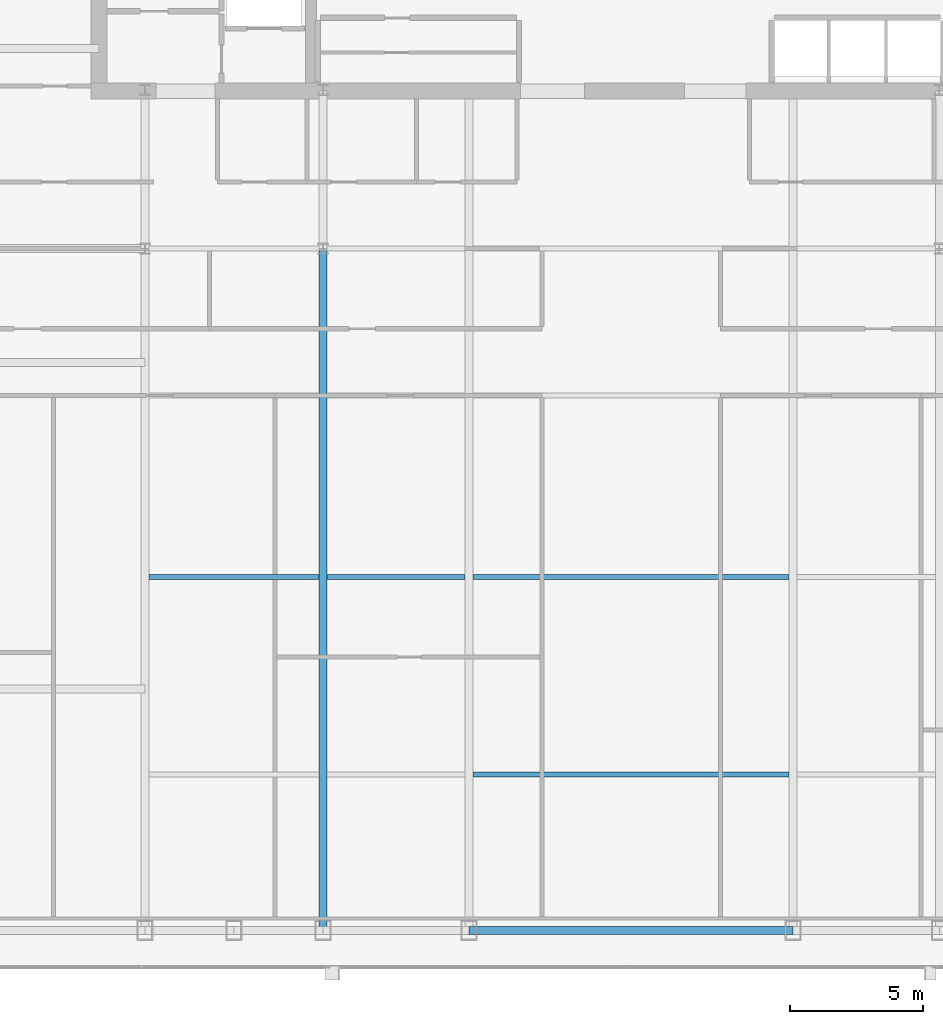
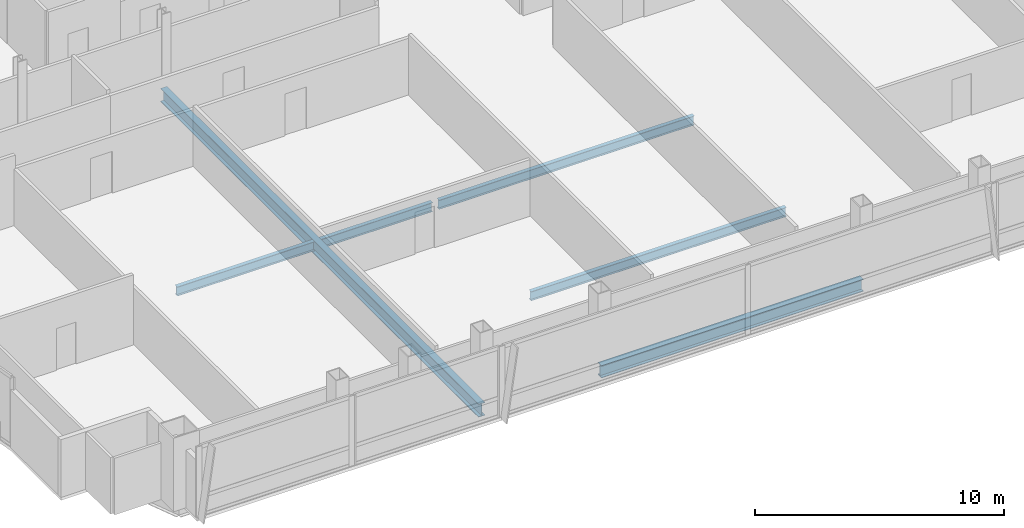
# One storey, part 9 of 30: 6 beams.
"""IFC4 building model written with IfcOpenShell, lengths in metres."""

from ifc_helpers import new_model, si_unit, direction, frame, origin, origin_2d, place, context, subcontext, project, spatial, i_section, extrude, material, material_profile, profile_set, type_object, element, save


model = new_model("IFC4")

# Units and contexts
model_context = context("Model", 3, precision=1e-05, world=origin(), true_north=direction((0.0, 1.0)))
body_context = subcontext(model_context, "Body", "Model", "MODEL_VIEW")
ifc_project = project(units=[si_unit("LENGTHUNIT", "METRE"), si_unit("AREAUNIT", "SQUARE_METRE"), si_unit("VOLUMEUNIT", "CUBIC_METRE"), si_unit("PLANEANGLEUNIT", "RADIAN"), si_unit("MASSUNIT", "GRAM", prefix="KILO")], contexts=[model_context])

# Site, building, storey
site_placement = place(None, origin())
site = spatial("IfcSite", under=ifc_project, at=site_placement, CompositionType="ELEMENT")
building_placement = place(site_placement, origin())
building = spatial("IfcBuilding", under=site, at=building_placement, Name="Khoronbel Lancet Exchange", CompositionType="ELEMENT")
storey_placement = place(building_placement, frame((0.0, 0.0, 224.60009765625)))
storey = spatial("IfcBuildingStorey", under=building, at=storey_placement, Name="L57", CompositionType="ELEMENT", Elevation=224.60009765625)

# Beams
ifc_material = material(Name="Steel S355", Category="steel")
ifc_material_profile_1 = material_profile(ifc_material, i_section(OverallWidth=0.300048828125, OverallDepth=0.64990234375, WebThickness=0.01611328125, FlangeThickness=0.031005859375, at=origin_2d()), Name="HEB 650")
ifc_profile_set_1 = profile_set([ifc_material_profile_1], Name="Steel S355")
beam_type_1 = type_object("IfcBeamType", Name="BM-BG4", PredefinedType="BEAM", material=ifc_profile_set_1)
beam_1_placement = place(storey_placement, frame((24.89990234375, 10.14990234375, -0.485107421875), z_axis=(0.0, 1.0, 0.0), x_axis=(-1.0, 0.0, 0.0)))
element("IfcBeam", 1, at=beam_1_placement, inside=storey, type_object=beam_type_1, Name="Level L57 south primary girder GS2", PredefinedType="BEAM", context=body_context, shape_type="SweptSolid", body=[
    extrude(i_section(OverallWidth=0.300048828125, OverallDepth=0.64990234375, WebThickness=0.01611328125, FlangeThickness=0.031005859375, at=origin_2d()), origin(), (0.0, 0.0, 1.0), 25.550048828125),
])
ifc_material_profile_2 = material_profile(ifc_material, i_section(OverallWidth=0.18994140625, OverallDepth=0.449951171875, WebThickness=0.009521484375, FlangeThickness=0.0146484375, at=origin_2d()), Name="IPE 450")
ifc_profile_set_2 = profile_set([ifc_material_profile_2], Name="Steel S355")
beam_type_2 = type_object("IfcBeamType", Name="BM-BJ4", PredefinedType="JOIST", material=ifc_profile_set_2)
beam_2_placement = place(storey_placement, frame((30.52490234375, 16.0, -0.385009765625), z_axis=(1.0, 0.0, 0.0), x_axis=(0.0, 1.0, 0.0)))
element("IfcBeam", 2, at=beam_2_placement, inside=storey, type_object=beam_type_2, Name="Level L57 secondary composite joist J03", PredefinedType="JOIST", context=body_context, shape_type="SweptSolid", body=[
    extrude(i_section(OverallWidth=0.18994140625, OverallDepth=0.449951171875, WebThickness=0.009521484375, FlangeThickness=0.0146484375, at=origin_2d()), origin(), (0.0, 0.0, 1.0), 11.85009765625),
])
beam_3_placement = place(storey_placement, frame((18.375, 23.39990234375, -0.385009765625), z_axis=(1.0, 0.0, 0.0), x_axis=(0.0, 1.0, 0.0)))
element("IfcBeam", 3, at=beam_3_placement, inside=storey, type_object=beam_type_2, Name="Level L57 secondary composite joist J06", PredefinedType="JOIST", context=body_context, shape_type="SweptSolid", body=[
    extrude(i_section(OverallWidth=0.18994140625, OverallDepth=0.449951171875, WebThickness=0.009521484375, FlangeThickness=0.0146484375, at=origin_2d()), origin(), (0.0, 0.0, 1.0), 6.375),
])
beam_4_placement = place(storey_placement, frame((25.050048828125, 23.39990234375, -0.385009765625), z_axis=(1.0, 0.0, 0.0), x_axis=(0.0, 1.0, 0.0)))
element("IfcBeam", 4, at=beam_4_placement, inside=storey, type_object=beam_type_2, Name="Level L57 secondary composite joist J07", PredefinedType="JOIST", context=body_context, shape_type="SweptSolid", body=[
    extrude(i_section(OverallWidth=0.18994140625, OverallDepth=0.449951171875, WebThickness=0.009521484375, FlangeThickness=0.0146484375, at=origin_2d()), origin(), (0.0, 0.0, 1.0), 5.175048828125),
])
beam_5_placement = place(storey_placement, frame((30.52490234375, 23.39990234375, -0.385009765625), z_axis=(1.0, 0.0, 0.0), x_axis=(0.0, 1.0, 0.0)))
element("IfcBeam", 5, at=beam_5_placement, inside=storey, type_object=beam_type_2, Name="Level L57 secondary composite joist J08", PredefinedType="JOIST", context=body_context, shape_type="SweptSolid", body=[
    extrude(i_section(OverallWidth=0.18994140625, OverallDepth=0.449951171875, WebThickness=0.009521484375, FlangeThickness=0.0146484375, at=origin_2d()), origin(), (0.0, 0.0, 1.0), 11.85009765625),
])
ifc_material_profile_3 = material_profile(ifc_material, i_section(OverallWidth=0.300048828125, OverallDepth=0.60009765625, WebThickness=0.015380859375, FlangeThickness=0.030029296875, at=origin_2d()), Name="HEB 600")
ifc_profile_set_3 = profile_set([ifc_material_profile_3], Name="Steel S355")
beam_type_3 = type_object("IfcBeamType", Name="BM-BSP2", PredefinedType="SPANDREL", material=ifc_profile_set_3)
beam_6_placement = place(storey_placement, frame((30.375, 10.14990234375, -0.460205078125), z_axis=(1.0, 0.0, 0.0), x_axis=(0.0, 1.0, 0.0)))
element("IfcBeam", 6, at=beam_6_placement, inside=storey, type_object=beam_type_3, Name="Level L57 perimeter spandrel beam SP05", PredefinedType="SPANDREL", context=body_context, shape_type="SweptSolid", body=[
    extrude(i_section(OverallWidth=0.300048828125, OverallDepth=0.60009765625, WebThickness=0.015380859375, FlangeThickness=0.030029296875, at=origin_2d()), origin(), (0.0, 0.0, 1.0), 12.14990234375),
])

save(model, "model.ifc")
